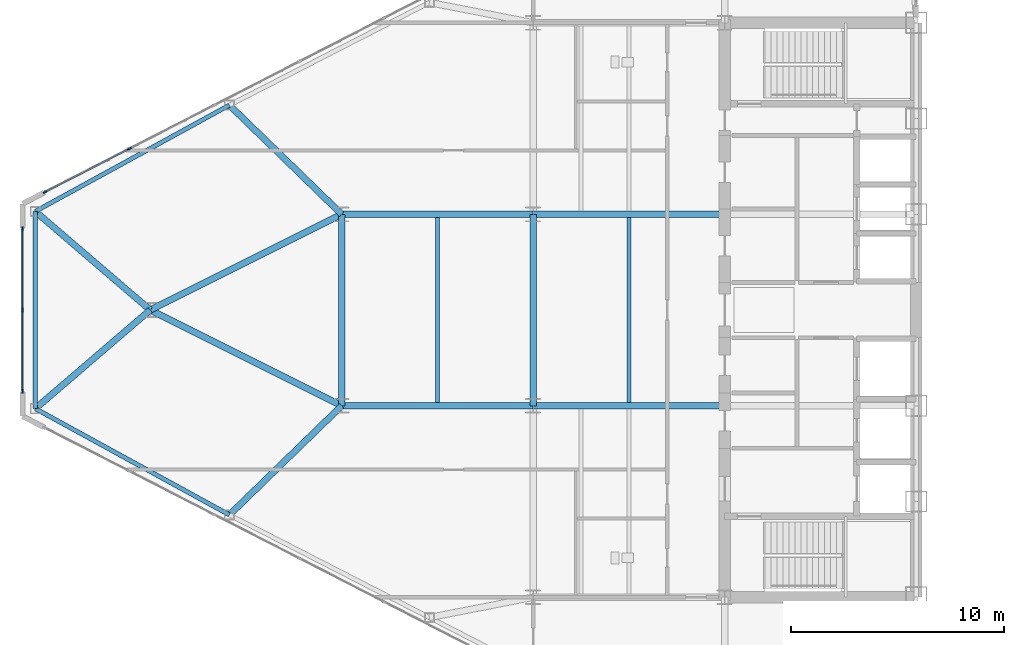
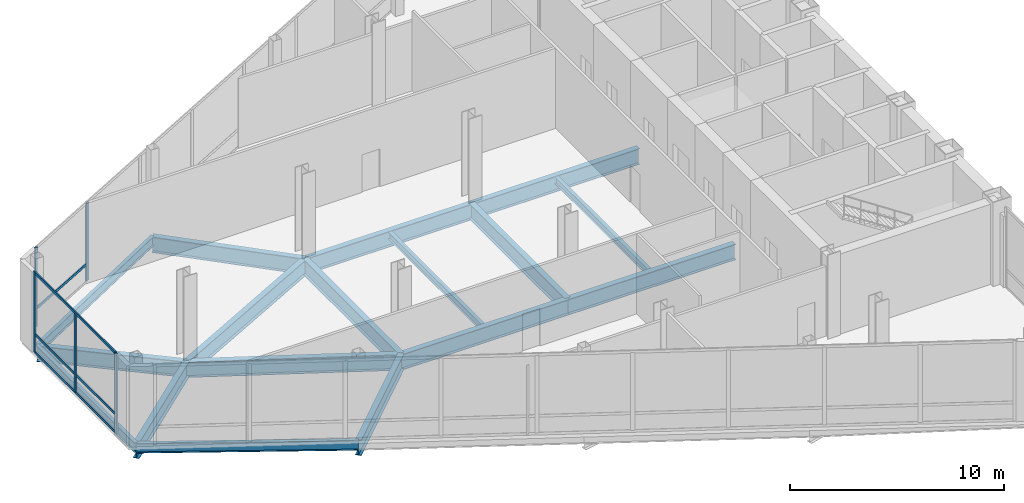
# One storey, part 4 of 22: 17 beams, 10 members, 2 elements without a shape of their own.
"""IFC4 building model written with IfcOpenShell, lengths in metres."""

from ifc_helpers import new_model, si_unit, direction, frame, origin, origin_2d, place, context, subcontext, project, spatial, rectangle, i_section, extrude, source, transform, mapped, material, layer, layer_set, material_profile, profile_set, type_object, type_shapes, element, aggregate, save


model = new_model("IFC4")

# Units and contexts
model_context = context("Model", 3, precision=1e-05, world=origin(), true_north=direction((0.0, 1.0)))
body_context = subcontext(model_context, "Body", "Model", "MODEL_VIEW")
ifc_project = project(units=[si_unit("LENGTHUNIT", "METRE"), si_unit("AREAUNIT", "SQUARE_METRE"), si_unit("VOLUMEUNIT", "CUBIC_METRE"), si_unit("PLANEANGLEUNIT", "RADIAN"), si_unit("MASSUNIT", "GRAM", prefix="KILO")], contexts=[model_context])

# Site, building, storey
site_placement = place(None, origin())
site = spatial("IfcSite", under=ifc_project, at=site_placement, CompositionType="ELEMENT")
building_placement = place(site_placement, origin())
building = spatial("IfcBuilding", under=site, at=building_placement, Name="Seokmaru Belvedere", CompositionType="ELEMENT")
storey_placement = place(building_placement, frame((0.0, 0.0, 135.60009765625)))
storey = spatial("IfcBuildingStorey", under=building, at=storey_placement, Name="L36", CompositionType="ELEMENT", Elevation=135.60009765625)

# Beams
ifc_material_1 = material(Name="Steel SM355 (355 MPa)", Category="steel")
ifc_material_profile_1 = material_profile(ifc_material_1, i_section(OverallWidth=0.300048828125, OverallDepth=0.89990234375, WebThickness=0.01611328125, FlangeThickness=0.028076171875, at=origin_2d()), Name="H-900x300x16x28")
ifc_profile_set_1 = profile_set([ifc_material_profile_1], Name="Steel SM355 (355 MPa)")
beam_type_1 = type_object("IfcBeamType", Name="Refuge Floor Girder H-900", PredefinedType="BEAM", material=ifc_profile_set_1)
shared_shape_1 = source(origin(), body_context, "Body", "SweptSolid", [
    extrude(i_section(OverallWidth=0.300048828125, OverallDepth=0.89990234375, WebThickness=0.01611328125, FlangeThickness=0.028076171875, at=origin_2d()), origin(), (0.0, 0.0, 1.0), 9.0),
])
for number, where, z_axis, x_axis, name in (
    (1, (-45.5, -4.5, -0.710205078125), (0.0, 1.0, 0.0), (-1.0, 0.0, 0.0), "L36 W Interior Grid Girder 2"),
    (2, (-45.5, -4.5, -0.710205078125), (1.0, 0.0, 0.0), (0.0, 1.0, 0.0), "L36 W Wing Primary Girder 2"),
    (3, (-45.5, 4.5, -0.710205078125), (1.0, 0.0, 0.0), (0.0, 1.0, 0.0), "L36 W Wing Primary Girder 3"),
    (4, (-54.5, -4.5, -0.710205078125), (1.0, 0.0, 0.0), (0.0, 1.0, 0.0), "L36 W Outer Wing Girder 1"),
    (5, (-54.5, 4.5, -0.710205078125), (1.0, 0.0, 0.0), (0.0, 1.0, 0.0), "L36 W Outer Wing Girder 2"),
    (6, (-54.5, -4.5, -0.710205078125), (0.0, 1.0, 0.0), (-1.0, 0.0, 0.0), "L36 W Apex Frame Girder"),
):
    element("IfcBeam", number, at=place(storey_placement, frame(where, z_axis=z_axis, x_axis=x_axis)), inside=storey, type_object=beam_type_1, Name=name, PredefinedType="BEAM", context=body_context, shape_type="MappedRepresentation", body=[
        mapped(shared_shape_1, transform((0.0, 0.0, 0.0), scale=1.0)),
    ])
shared_shape_2 = source(origin(), body_context, "Body", "SweptSolid", [
    extrude(i_section(OverallWidth=0.300048828125, OverallDepth=0.89990234375, WebThickness=0.01611328125, FlangeThickness=0.028076171875, at=origin_2d()), origin(), (0.0, 0.0, 1.0), 10.062255859375),
])
for number, where, z_axis, x_axis, name in (
    (7, (-54.5, -4.5, -0.710205078125), (-0.894427191, 0.4472135955, 0.0), (-0.4472135955, -0.894427191, 0.0), "L36 W Apex Converging Girder 1"),
    (8, (-54.5, 4.5, -0.710205078125), (-0.894427191, -0.4472135955, 0.0), (0.4472135955, -0.894427191, 0.0), "L36 W Apex Converging Girder 2"),
):
    element("IfcBeam", number, at=place(storey_placement, frame(where, z_axis=z_axis, x_axis=x_axis)), inside=storey, type_object=beam_type_1, Name=name, PredefinedType="BEAM", context=body_context, shape_type="MappedRepresentation", body=[
        mapped(shared_shape_2, transform((0.0, 0.0, 0.0), scale=1.0)),
    ])
ifc_material_profile_2 = material_profile(ifc_material_1, i_section(OverallWidth=0.199951171875, OverallDepth=0.39990234375, WebThickness=0.008056640625, FlangeThickness=0.012939453125, at=origin_2d()), Name="H-400x200x8x13")
ifc_profile_set_2 = profile_set([ifc_material_profile_2], Name="Steel SM355 (355 MPa)")
beam_type_2 = type_object("IfcBeamType", Name="Secondary Floor Joist H-400", PredefinedType="JOIST", material=ifc_profile_set_2)
shared_shape_3 = source(origin(), body_context, "Body", "SweptSolid", [
    extrude(i_section(OverallWidth=0.199951171875, OverallDepth=0.39990234375, WebThickness=0.008056640625, FlangeThickness=0.012939453125, at=origin_2d()), origin(), (0.0, 0.0, 1.0), 8.68994140625),
])
type_shapes(beam_type_2, [shared_shape_3])
for number, where, z_axis, x_axis, name in (
    (9, (-41.0, -4.344970703125, -0.460205078125), (0.0, 1.0, 0.0), (-1.0, 0.0, 0.0), "L36 W Secondary Floor Joist 2"),
    (10, (-50.0, -4.344970703125, -0.460205078125), (0.0, 1.0, 0.0), (-1.0, 0.0, 0.0), "L36 W Outer Bay Secondary Joist"),
):
    element("IfcBeam", number, at=place(storey_placement, frame(where, z_axis=z_axis, x_axis=x_axis)), inside=storey, type_object=beam_type_2, Name=name, PredefinedType="JOIST", context=body_context, shape_type="MappedRepresentation", body=[
        mapped(shared_shape_3, transform((0.0, 0.0, 0.0), scale=1.0)),
    ])
ifc_material_profile_3 = material_profile(ifc_material_1, i_section(OverallWidth=0.199951171875, OverallDepth=0.550048828125, WebThickness=0.010009765625, FlangeThickness=0.01611328125, at=origin_2d()), Name="H-550x200x10x16")
ifc_profile_set_3 = profile_set([ifc_material_profile_3], Name="Steel SM355 (355 MPa)")
beam_type_3 = type_object("IfcBeamType", Name="Sky-Lobby Spandrel Beam H-550", PredefinedType="SPANDREL", material=ifc_profile_set_3)
shared_shape_4 = source(origin(), body_context, "Body", "SweptSolid", [
    extrude(i_section(OverallWidth=0.199951171875, OverallDepth=0.550048828125, WebThickness=0.010009765625, FlangeThickness=0.01611328125, at=origin_2d()), origin(), (0.0, 0.0, 1.0), 10.399658203125),
])
for number, where, z_axis, x_axis, name in (
    (11, (-59.778564453125, -9.62890625, -0.53515625), (-0.877082374422, 0.480339992587, 0.0), (-0.480339992587, -0.877082374422, 0.0), "L36 W Faceted Flank Spandrel S-4"),
    (12, (-59.778564453125, 9.62890625, -0.53515625), (-0.877082374422, -0.480339992587, 0.0), (0.480339992587, -0.877082374422, 0.0), "L36 W Faceted Flank Spandrel N-4"),
):
    element("IfcBeam", number, at=place(storey_placement, frame(where, z_axis=z_axis, x_axis=x_axis)), inside=storey, type_object=beam_type_3, Name=name, PredefinedType="SPANDREL", context=body_context, shape_type="MappedRepresentation", body=[
        mapped(shared_shape_4, transform((0.0, 0.0, 0.0), scale=1.0)),
    ])
shared_shape_5 = source(origin(), body_context, "Body", "SweptSolid", [
    extrude(i_section(OverallWidth=0.199951171875, OverallDepth=0.550048828125, WebThickness=0.010009765625, FlangeThickness=0.01611328125, at=origin_2d()), origin(), (0.0, 0.0, 1.0), 9.26708984375),
])
type_shapes(beam_type_3, [shared_shape_4, shared_shape_5])
beam_placement = place(storey_placement, frame((-68.89990234375, -4.633544921875, -0.53515625), z_axis=(0.0, 1.0, 0.0), x_axis=(-1.0, 0.0, 0.0)))
element("IfcBeam", 13, at=beam_placement, inside=storey, type_object=beam_type_3, Name="L36 W Faceted Apex Spandrel", PredefinedType="SPANDREL", context=body_context, shape_type="MappedRepresentation", body=[
    mapped(shared_shape_5, transform((0.0, 0.0, 0.0), scale=1.0)),
])
shared_shape_6 = source(origin(), body_context, "Body", "SweptSolid", [
    extrude(i_section(OverallWidth=0.300048828125, OverallDepth=0.89990234375, WebThickness=0.01611328125, FlangeThickness=0.028076171875, at=origin_2d()), origin(), (0.0, 0.0, 1.0), 7.35986328125),
])
for number, where, z_axis, x_axis, name in (
    (14, (-59.778564453125, -9.62890625, -0.710205078125), (0.717200745515, 0.696866623273, 0.0), (-0.696866623273, 0.717200745515, 0.0), "L36 W Flank Radial Floor Girder S-3"),
    (15, (-59.778564453125, 9.62890625, -0.710205078125), (0.717200745515, -0.696866623273, 0.0), (0.696866623273, 0.717200745515, 0.0), "L36 W Flank Radial Floor Girder N-3"),
):
    element("IfcBeam", number, at=place(storey_placement, frame(where, z_axis=z_axis, x_axis=x_axis)), inside=storey, type_object=beam_type_1, Name=name, PredefinedType="BEAM", context=body_context, shape_type="MappedRepresentation", body=[
        mapped(shared_shape_6, transform((0.0, 0.0, 0.0), scale=1.0)),
    ])
shared_shape_7 = source(origin(), body_context, "Body", "SweptSolid", [
    extrude(i_section(OverallWidth=0.300048828125, OverallDepth=0.89990234375, WebThickness=0.01611328125, FlangeThickness=0.028076171875, at=origin_2d()), origin(), (0.0, 0.0, 1.0), 7.115478515625),
])
type_shapes(beam_type_1, [shared_shape_1, shared_shape_2, shared_shape_6, shared_shape_7])
for number, where, z_axis, x_axis, name in (
    (16, (-68.89990234375, -4.633544921875, -0.710205078125), (0.758905301881, 0.651201000289, 0.0), (-0.651201000289, 0.758905301881, 0.0), "L36 W Apex Radial Floor Girder 1"),
    (17, (-68.89990234375, 4.633544921875, -0.710205078125), (0.758905301881, -0.651201000289, 0.0), (0.651201000289, 0.758905301881, 0.0), "L36 W Apex Radial Floor Girder 2"),
):
    element("IfcBeam", number, at=place(storey_placement, frame(where, z_axis=z_axis, x_axis=x_axis)), inside=storey, type_object=beam_type_1, Name=name, PredefinedType="BEAM", context=body_context, shape_type="MappedRepresentation", body=[
        mapped(shared_shape_7, transform((0.0, 0.0, 0.0), scale=1.0)),
    ])

# Curtain wall, members
ifc_material_2 = material(Name="Bronze Triple Insulating Glass", Category="glass")
ifc_layer = layer(ifc_material_2, 0.195068359375)
ifc_layer_set = layer_set([ifc_layer], Name="Bronze Triple Insulating Glass")
curtain_wall_type = type_object("IfcCurtainWallType", Name="Sky-Lobby and Mid-Rise Curtain Wall System CW-4", PredefinedType="NOTDEFINED", material=ifc_layer_set)
curtain_wall_1_placement = place(storey_placement, origin())
curtain_wall_1 = element("IfcCurtainWall", 18, at=curtain_wall_1_placement, inside=storey, type_object=curtain_wall_type, Name="L36 Curtain Wall WF4", PredefinedType="NOTDEFINED")
ifc_material_3 = material(Name="Anodised Bronze Aluminium", Category="aluminium")
ifc_material_profile_4 = material_profile(ifc_material_3, rectangle(XDim=0.06494140625, YDim=0.14990234375, at=origin_2d()), Name="CW-T-65x150")
ifc_profile_set_4 = profile_set([ifc_material_profile_4], Name="Anodised Bronze Aluminium")
member_type_1 = type_object("IfcMemberType", Name="Bronze Unitised Transom 65x150", PredefinedType="USERDEFINED", material=ifc_profile_set_4)
shared_shape_8 = source(origin(), body_context, "Body", "SweptSolid", [
    extrude(rectangle(XDim=0.06494140625, YDim=0.14990234375, at=origin_2d()), origin(), (0.0, 0.0, 1.0), 7.56005859375),
])
member_1_placement = place(storey_placement, frame((-69.5, 3.780029296875, 0.032470703125), z_axis=(0.0, -1.0, 0.0), x_axis=(1.0, 0.0, 0.0)))
member_1 = element("IfcMember", 19, at=member_1_placement, type_object=member_type_1, Name="CW:L36:WF4 Continuous Transom 1", ObjectType="TRANSOM", PredefinedType="USERDEFINED", context=body_context, shape_type="MappedRepresentation", body=[
    mapped(shared_shape_8, transform((0.0, 0.0, 0.0), scale=1.0)),
])
member_2_placement = place(storey_placement, frame((-69.5, 3.780029296875, 4.54736328125), z_axis=(0.0, -1.0, 0.0), x_axis=(1.0, 0.0, 0.0)))
member_2 = element("IfcMember", 20, at=member_2_placement, type_object=member_type_1, Name="CW:L36:WF4 Continuous Transom 2", ObjectType="TRANSOM", PredefinedType="USERDEFINED", context=body_context, shape_type="MappedRepresentation", body=[
    mapped(shared_shape_8, transform((0.0, 0.0, 0.0), scale=1.0)),
])

# Curtain wall, member
curtain_wall_2_placement = place(storey_placement, origin())
curtain_wall_2 = element("IfcCurtainWall", 21, at=curtain_wall_2_placement, inside=storey, type_object=curtain_wall_type, Name="L36 Curtain Wall WF3", PredefinedType="NOTDEFINED")
ifc_material_profile_5 = material_profile(ifc_material_3, rectangle(XDim=0.070068359375, YDim=0.195068359375, at=origin_2d()), Name="CW-M-70x195")
ifc_profile_set_5 = profile_set([ifc_material_profile_5], Name="Anodised Bronze Aluminium")
member_type_2 = type_object("IfcMemberType", Name="Bronze Unitised Mullion 70x195", PredefinedType="MULLION", material=ifc_profile_set_5)
shared_shape_9 = source(origin(), body_context, "Body", "SweptSolid", [
    extrude(rectangle(XDim=0.070068359375, YDim=0.195068359375, at=origin_2d()), origin(), (0.0, 0.0, 1.0), 4.579833984375),
])
member_3_placement = place(storey_placement, frame((-68.44580078125, 5.541015625, 0.0), z_axis=(0.0, 0.0, 1.0), x_axis=(0.456554528263, -0.889695432562, 0.0)))
member_3 = element("IfcMember", 22, at=member_3_placement, type_object=member_type_2, Name="CW:L36:WF3 Mullion 10", PredefinedType="MULLION", context=body_context, shape_type="MappedRepresentation", body=[
    mapped(shared_shape_9, transform((0.0, 0.0, 0.0), scale=1.0)),
])

# Member
member_4_placement = place(storey_placement, frame((-69.5, 3.81494140625, 0.0), z_axis=(0.0, 0.0, 1.0), x_axis=(1.0, 0.0, 0.0)))
member_4 = element("IfcMember", 23, at=member_4_placement, type_object=member_type_2, Name="CW:L36:WF4 Mullion 1", PredefinedType="MULLION", context=body_context, shape_type="MappedRepresentation", body=[
    mapped(shared_shape_9, transform((0.0, 0.0, 0.0), scale=1.0)),
])

member_5_placement = place(storey_placement, frame((-69.5, -3.81494140625, 0.0), z_axis=(0.0, 0.0, 1.0), x_axis=(1.0, 0.0, 0.0)))
member_5 = element("IfcMember", 24, at=member_5_placement, type_object=member_type_2, Name="CW:L36:WF4 Mullion 3", PredefinedType="MULLION", context=body_context, shape_type="MappedRepresentation", body=[
    mapped(shared_shape_9, transform((0.0, 0.0, 0.0), scale=1.0)),
])

shared_shape_10 = source(origin(), body_context, "Body", "SweptSolid", [
    extrude(rectangle(XDim=0.070068359375, YDim=0.195068359375, at=origin_2d()), origin(), (0.0, 0.0, 1.0), 4.449951171875),
])
type_shapes(member_type_2, [shared_shape_9, shared_shape_10])
member_6_placement = place(storey_placement, frame((-64.48193359375, 7.574951171875, 0.06494140625), z_axis=(0.0, 0.0, 1.0), x_axis=(0.456554528263, -0.889695432562, 0.0)))
member_6 = element("IfcMember", 25, at=member_6_placement, type_object=member_type_2, Name="CW:L36:WF3 Mullion 9", PredefinedType="MULLION", context=body_context, shape_type="MappedRepresentation", body=[
    mapped(shared_shape_10, transform((0.0, 0.0, 0.0), scale=1.0)),
])

member_7_placement = place(storey_placement, frame((-69.5, 0.0, 0.06494140625), z_axis=(0.0, 0.0, 1.0), x_axis=(1.0, 0.0, 0.0)))
member_7 = element("IfcMember", 26, at=member_7_placement, type_object=member_type_2, Name="CW:L36:WF4 Mullion 2", PredefinedType="MULLION", context=body_context, shape_type="MappedRepresentation", body=[
    mapped(shared_shape_10, transform((0.0, 0.0, 0.0), scale=1.0)),
])

shared_shape_11 = source(origin(), body_context, "Body", "SweptSolid", [
    extrude(rectangle(XDim=0.06494140625, YDim=0.14990234375, at=origin_2d()), origin(), (0.0, 0.0, 1.0), 4.38525390625),
])
member_8_placement = place(storey_placement, frame((-64.51318359375, 7.55908203125, 1.0498046875), z_axis=(-0.889678887593, -0.456586768282, 0.0), x_axis=(0.456586768282, -0.889678887593, 0.0)))
member_8 = element("IfcMember", 27, at=member_8_placement, type_object=member_type_1, Name="CW:L36:WF3 Spandrel Transom 9", ObjectType="TRANSOM", PredefinedType="USERDEFINED", context=body_context, shape_type="MappedRepresentation", body=[
    mapped(shared_shape_11, transform((0.0, 0.0, 0.0), scale=1.0)),
])

aggregate(curtain_wall_2, [member_6, member_3, member_8])

shared_shape_12 = source(origin(), body_context, "Body", "SweptSolid", [
    extrude(rectangle(XDim=0.06494140625, YDim=0.14990234375, at=origin_2d()), origin(), (0.0, 0.0, 1.0), 3.7451171875),
])
type_shapes(member_type_1, [shared_shape_8, shared_shape_11, shared_shape_12])
member_9_placement = place(storey_placement, frame((-69.5, 3.780029296875, 1.0498046875), z_axis=(0.0, -1.0, 0.0), x_axis=(1.0, 0.0, 0.0)))
member_9 = element("IfcMember", 28, at=member_9_placement, type_object=member_type_1, Name="CW:L36:WF4 Spandrel Transom 1", ObjectType="TRANSOM", PredefinedType="USERDEFINED", context=body_context, shape_type="MappedRepresentation", body=[
    mapped(shared_shape_12, transform((0.0, 0.0, 0.0), scale=1.0)),
])

member_10_placement = place(storey_placement, frame((-69.5, -0.034912109375, 1.0498046875), z_axis=(0.0, -1.0, 0.0), x_axis=(1.0, 0.0, 0.0)))
member_10 = element("IfcMember", 29, at=member_10_placement, type_object=member_type_1, Name="CW:L36:WF4 Spandrel Transom 2", ObjectType="TRANSOM", PredefinedType="USERDEFINED", context=body_context, shape_type="MappedRepresentation", body=[
    mapped(shared_shape_12, transform((0.0, 0.0, 0.0), scale=1.0)),
])

aggregate(curtain_wall_1, [member_4, member_7, member_5, member_1, member_2, member_9, member_10])

save(model, "model.ifc")
